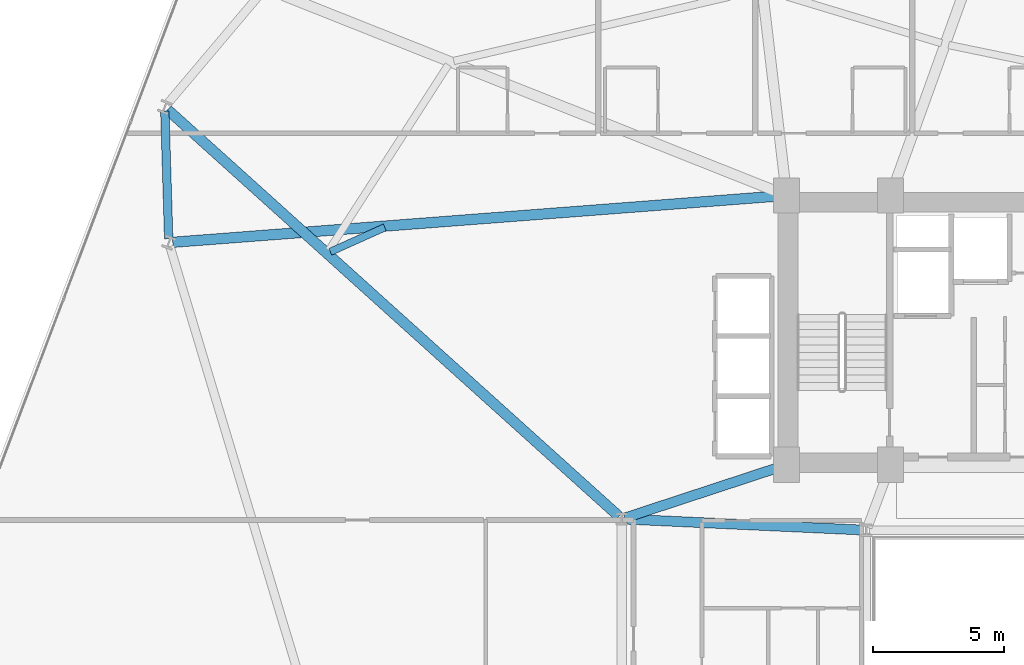
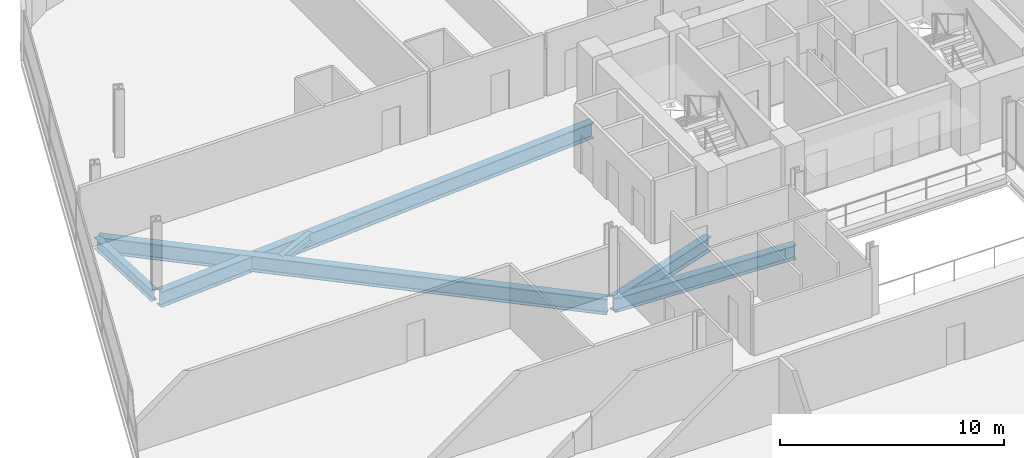
# One storey, part 7 of 24: 6 beams.
"""IFC4 building model written with IfcOpenShell, lengths in metres."""

from ifc_helpers import new_model, si_unit, direction, frame, origin, origin_2d, place, context, subcontext, project, spatial, i_section, extrude, material, material_profile, profile_set, type_object, element, save


model = new_model("IFC4")

# Units and contexts
model_context = context("Model", 3, precision=1e-05, world=origin(), true_north=direction((0.0, 1.0)))
body_context = subcontext(model_context, "Body", "Model", "MODEL_VIEW")
ifc_project = project(units=[si_unit("LENGTHUNIT", "METRE"), si_unit("AREAUNIT", "SQUARE_METRE"), si_unit("VOLUMEUNIT", "CUBIC_METRE"), si_unit("PLANEANGLEUNIT", "RADIAN"), si_unit("MASSUNIT", "GRAM", prefix="KILO")], contexts=[model_context])

# Site, building, storey
site_placement = place(None, origin())
site = spatial("IfcSite", under=ifc_project, at=site_placement, CompositionType="ELEMENT")
building_placement = place(site_placement, origin())
building = spatial("IfcBuilding", under=site, at=building_placement, Name="Varnelok Gate Tower", CompositionType="ELEMENT")
storey_placement = place(building_placement, frame((0.0, 0.0, 94.699951171875)))
storey = spatial("IfcBuildingStorey", under=building, at=storey_placement, Name="L23", CompositionType="ELEMENT", Elevation=94.699951171875)

# Beams
ifc_material = material(Name="Structural Steel ASTM A992 Grade 50", Category="steel")
ifc_material_profile_1 = material_profile(ifc_material, i_section(OverallWidth=0.280029296875, OverallDepth=0.462890625, WebThickness=0.0107421875, FlangeThickness=0.017333984375, FilletRadius=0.014892578125, at=origin_2d()), Name="W18X76")
ifc_profile_set_1 = profile_set([ifc_material_profile_1], Name="Structural Steel ASTM A992 Grade 50")
beam_type_1 = type_object("IfcBeamType", Name="BM-JST-W18X76", PredefinedType="JOIST", material=ifc_profile_set_1)
beam_1_placement = place(storey_placement, frame((13.25537109375, 36.894287109375, -0.4814453125), z_axis=(0.912301338423, 0.409519557423, 0.0), x_axis=(-0.409519557423, 0.912301338423, 0.0)))
element("IfcBeam", 1, at=beam_1_placement, inside=storey, type_object=beam_type_1, Name="L23 Sector Floor Joist 13", PredefinedType="JOIST", context=body_context, shape_type="SweptSolid", body=[
    extrude(i_section(OverallWidth=0.280029296875, OverallDepth=0.462890625, WebThickness=0.0107421875, FlangeThickness=0.017333984375, FilletRadius=0.014892578125, at=origin_2d()), origin(), (0.0, 0.0, 1.0), 2.28271484375),
])
ifc_material_profile_2 = material_profile(ifc_material, i_section(OverallWidth=0.381103515625, OverallDepth=0.77294921875, WebThickness=0.0166015625, FlangeThickness=0.027099609375, FilletRadius=0.02197265625, at=origin_2d()), Name="W30X173")
ifc_profile_set_2 = profile_set([ifc_material_profile_2], Name="Structural Steel ASTM A992 Grade 50")
beam_type_2 = type_object("IfcBeamType", Name="BM-PRI-W30X173", PredefinedType="BEAM", material=ifc_profile_set_2)
beam_2_placement = place(storey_placement, frame((24.52001953125, 26.674560546875, -0.636474609375), z_axis=(0.99894427814, -0.045938319209, 0.0), x_axis=(0.045938319209, 0.99894427814, 0.0)))
element("IfcBeam", 2, at=beam_2_placement, inside=storey, type_object=beam_type_2, Name="L23 Core-Atrium Spine Beam 15", PredefinedType="BEAM", context=body_context, shape_type="SweptSolid", body=[
    extrude(i_section(OverallWidth=0.381103515625, OverallDepth=0.77294921875, WebThickness=0.0166015625, FlangeThickness=0.027099609375, FilletRadius=0.02197265625, at=origin_2d()), origin(), (0.0, 0.0, 1.0), 9.11962890625),
])
beam_3_placement = place(storey_placement, frame((24.513916015625, 26.717529296875, -0.636474609375), z_axis=(0.950041943788, 0.312122259768, 0.0), x_axis=(-0.312122259768, 0.950041943788, 0.0)))
element("IfcBeam", 3, at=beam_3_placement, inside=storey, type_object=beam_type_2, Name="L23 Core-Atrium Spine Beam 17", PredefinedType="BEAM", context=body_context, shape_type="SweptSolid", body=[
    extrude(i_section(OverallWidth=0.381103515625, OverallDepth=0.77294921875, WebThickness=0.0166015625, FlangeThickness=0.027099609375, FilletRadius=0.02197265625, at=origin_2d()), origin(), (0.0, 0.0, 1.0), 6.391357421875),
])
ifc_material_profile_3 = material_profile(ifc_material, i_section(OverallWidth=0.39892578125, OverallDepth=0.85498046875, WebThickness=0.018310546875, FlangeThickness=0.029296875, FilletRadius=0.02392578125, at=origin_2d()), Name="W33X201")
ifc_profile_set_3 = profile_set([ifc_material_profile_3], Name="Structural Steel ASTM A992 Grade 50")
beam_type_3 = type_object("IfcBeamType", Name="BM-PRI-W33X201", PredefinedType="BEAM", material=ifc_profile_set_3)
beam_4_placement = place(storey_placement, frame((24.28857421875, 26.780517578125, -0.677490234375), z_axis=(-0.742906696972, 0.669394980258, 0.0), x_axis=(-0.669394980258, -0.742906696972, 0.0)))
element("IfcBeam", 4, at=beam_4_placement, inside=storey, type_object=beam_type_3, Name="L23 Radial Floor Girder 15", PredefinedType="BEAM", context=body_context, shape_type="SweptSolid", body=[
    extrude(i_section(OverallWidth=0.39892578125, OverallDepth=0.85498046875, WebThickness=0.018310546875, FlangeThickness=0.029296875, FilletRadius=0.02392578125, at=origin_2d()), origin(), (0.0, 0.0, 1.0), 23.224609375),
])
beam_5_placement = place(storey_placement, frame((30.55029296875, 39.03857421875, -0.677490234375), z_axis=(-0.997095422745, -0.076162444427, 0.0), x_axis=(0.076162444427, -0.997095422745, 0.0)))
element("IfcBeam", 5, at=beam_5_placement, inside=storey, type_object=beam_type_3, Name="L23 Radial Floor Girder 16", PredefinedType="BEAM", context=body_context, shape_type="SweptSolid", body=[
    extrude(i_section(OverallWidth=0.39892578125, OverallDepth=0.85498046875, WebThickness=0.018310546875, FlangeThickness=0.029296875, FilletRadius=0.02392578125, at=origin_2d()), origin(), (0.0, 0.0, 1.0), 23.387451171875),
])
ifc_material_profile_4 = material_profile(ifc_material, i_section(OverallWidth=0.323974609375, OverallDepth=0.611083984375, WebThickness=0.0126953125, FlangeThickness=0.01904296875, FilletRadius=0.01806640625, at=origin_2d()), Name="W24X104")
ifc_profile_set_4 = profile_set([ifc_material_profile_4], Name="Structural Steel ASTM A992 Grade 50")
beam_type_4 = type_object("IfcBeamType", Name="BM-SPN-W24X104", PredefinedType="SPANDREL", material=ifc_profile_set_4)
beam_6_placement = place(storey_placement, frame((6.927978515625, 42.277587890625, -0.555419921875), z_axis=(0.030393553869, -0.999538009224, 0.0), x_axis=(0.999538009224, 0.030393553869, 0.0)))
element("IfcBeam", 6, at=beam_6_placement, inside=storey, type_object=beam_type_4, Name="L23 Perimeter Spandrel Beam 15", PredefinedType="SPANDREL", context=body_context, shape_type="SweptSolid", body=[
    extrude(i_section(OverallWidth=0.323974609375, OverallDepth=0.611083984375, WebThickness=0.0126953125, FlangeThickness=0.01904296875, FilletRadius=0.01806640625, at=origin_2d()), origin(), (0.0, 0.0, 1.0), 4.8837890625),
])

save(model, "model.ifc")
